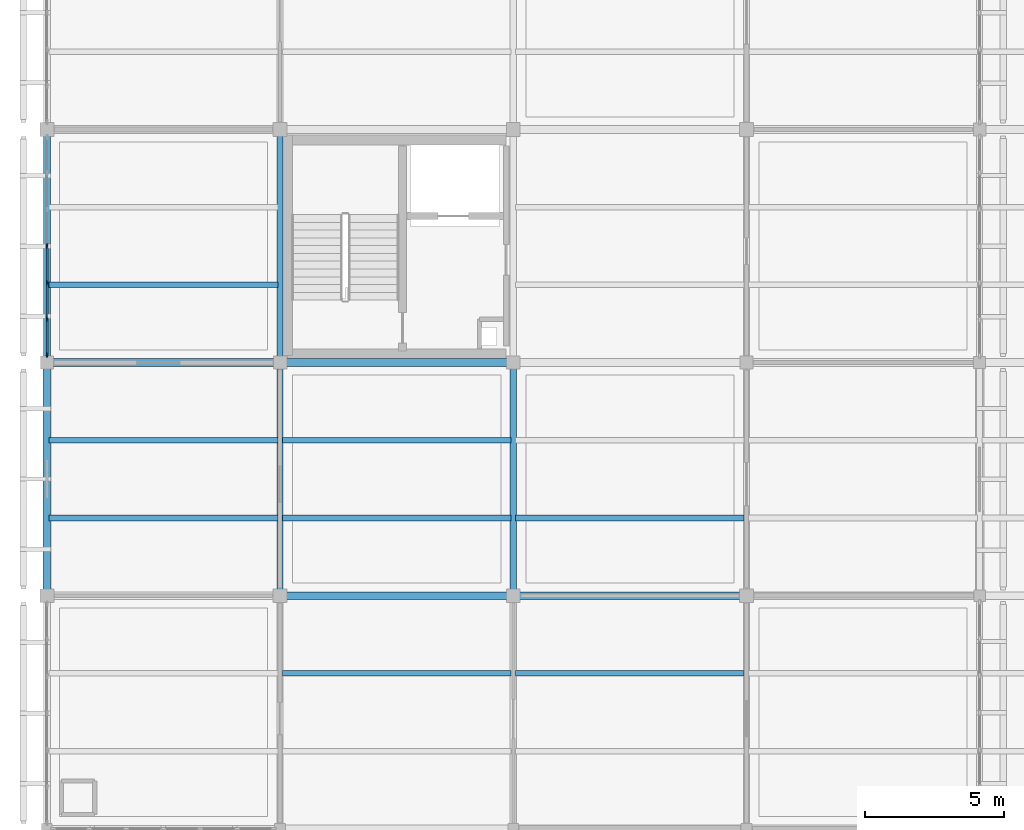
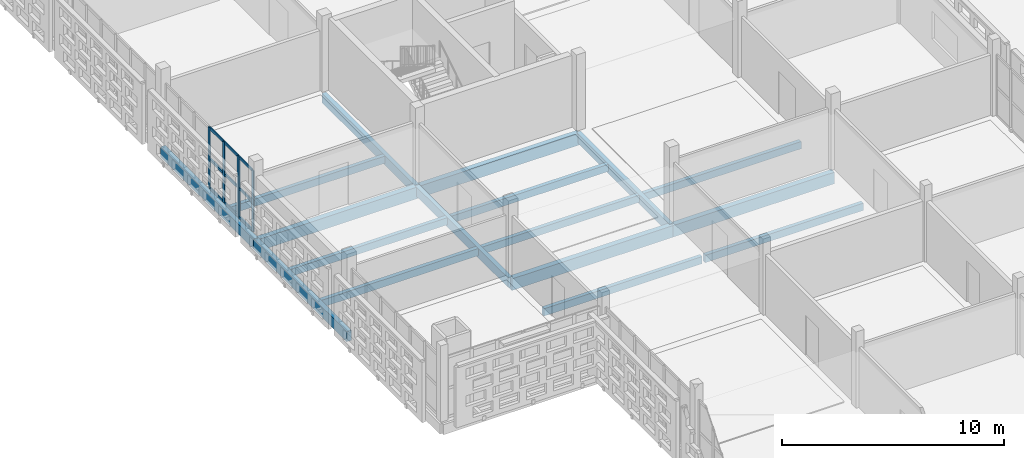
# One storey, part 25 of 166: 17 beams, 13 members, 1 element without a shape of its own.
"""IFC4 building model written with IfcOpenShell, lengths in metres."""

from ifc_helpers import new_model, si_unit, direction, frame, origin, origin_2d, place, context, subcontext, project, spatial, rectangle, extrude, material, layer, layer_set, material_profile, profile_set, type_object, element, aggregate, save


model = new_model("IFC4")

# Units and contexts
model_context = context("Model", 3, precision=1e-05, world=origin(), true_north=direction((0.0, 1.0)))
body_context = subcontext(model_context, "Body", "Model", "MODEL_VIEW")
ifc_project = project(units=[si_unit("LENGTHUNIT", "METRE"), si_unit("AREAUNIT", "SQUARE_METRE"), si_unit("VOLUMEUNIT", "CUBIC_METRE"), si_unit("PLANEANGLEUNIT", "RADIAN"), si_unit("MASSUNIT", "GRAM", prefix="KILO")], contexts=[model_context])

# Site, building, storey
site_placement = place(None, origin())
site = spatial("IfcSite", under=ifc_project, at=site_placement, CompositionType="ELEMENT")
building_placement = place(site_placement, origin())
building = spatial("IfcBuilding", under=site, at=building_placement, Name="Varnapada Polytechnic", CompositionType="ELEMENT")
storey_placement = place(building_placement, frame((0.0, 0.0, 9.60009765625)))
storey = spatial("IfcBuildingStorey", under=building, at=storey_placement, Name="L02", CompositionType="ELEMENT", Elevation=9.60009765625)

# Beams
ifc_material_1 = material(Name="Glulam GL32h", Category="wood")
ifc_material_profile_1 = material_profile(ifc_material_1, rectangle(XDim=0.280029296875, YDim=0.639892578125, at=origin_2d()), Name="GL 280x640")
ifc_profile_set_1 = profile_set([ifc_material_profile_1], Name="Glulam GL32h")
beam_type_1 = type_object("IfcBeamType", Name="Laboratory primary glulam girder GG-02 (GL 280x640)", PredefinedType="BEAM", material=ifc_profile_set_1)
beam_1_placement = place(storey_placement, frame((0.0, 58.800048828125, -0.56005859375), z_axis=(1.0, 0.0, 0.0), x_axis=(0.0, 1.0, 0.0)))
element("IfcBeam", 1, at=beam_1_placement, inside=storey, type_object=beam_type_1, Name="L02 beam X 1-2 at Y8", PredefinedType="BEAM", context=body_context, shape_type="SweptSolid", body=[
    extrude(rectangle(XDim=0.280029296875, YDim=0.639892578125, at=origin_2d()), origin(), (0.0, 0.0, 1.0), 8.39990234375),
])
for number, where, z_axis, x_axis, name in (
    (2, (8.39990234375, 50.39990234375, -0.56005859375), (1.0, 0.0, 0.0), (0.0, 1.0, 0.0), "L02 beam X 2-3 at Y7"),
    (3, (8.39990234375, 58.800048828125, -0.56005859375), (1.0, 0.0, 0.0), (0.0, 1.0, 0.0), "L02 beam X 2-3 at Y8"),
):
    element("IfcBeam", number, at=place(storey_placement, frame(where, z_axis=z_axis, x_axis=x_axis)), inside=storey, type_object=beam_type_1, Name=name, PredefinedType="BEAM", context=body_context, shape_type="SweptSolid", body=[
        extrude(rectangle(XDim=0.280029296875, YDim=0.639892578125, at=origin_2d()), origin(), (0.0, 0.0, 1.0), 8.400146484375),
    ])
beam_2_placement = place(storey_placement, frame((16.800048828125, 50.39990234375, -0.56005859375), z_axis=(1.0, 0.0, 0.0), x_axis=(0.0, 1.0, 0.0)))
element("IfcBeam", 4, at=beam_2_placement, inside=storey, type_object=beam_type_1, Name="L02 beam X 3-4 at Y7", PredefinedType="BEAM", context=body_context, shape_type="SweptSolid", body=[
    extrude(rectangle(XDim=0.280029296875, YDim=0.639892578125, at=origin_2d()), origin(), (0.0, 0.0, 1.0), 8.39990234375),
])
ifc_material_profile_2 = material_profile(ifc_material_1, rectangle(XDim=0.219970703125, YDim=0.52001953125, at=origin_2d()), Name="GL 220x520")
ifc_profile_set_2 = profile_set([ifc_material_profile_2], Name="Glulam GL32h")
beam_type_2 = type_object("IfcBeamType", Name="Laboratory transverse glulam beam GB-12 (GL 220x520)", PredefinedType="BEAM", material=ifc_profile_set_2)
beam_3_placement = place(storey_placement, frame((8.39990234375, 50.39990234375, -0.5), z_axis=(0.0, 1.0, 0.0), x_axis=(-1.0, 0.0, 0.0)))
element("IfcBeam", 5, at=beam_3_placement, inside=storey, type_object=beam_type_2, Name="L02 beam Y 7-8 at X2", PredefinedType="BEAM", context=body_context, shape_type="SweptSolid", body=[
    extrude(rectangle(XDim=0.219970703125, YDim=0.52001953125, at=origin_2d()), origin(), (0.0, 0.0, 1.0), 8.400146484375),
])
beam_4_placement = place(storey_placement, frame((8.39990234375, 58.800048828125, -0.5), z_axis=(0.0, 1.0, 0.0), x_axis=(-1.0, 0.0, 0.0)))
element("IfcBeam", 6, at=beam_4_placement, inside=storey, type_object=beam_type_2, Name="L02 beam Y 8-9 at X2", PredefinedType="BEAM", context=body_context, shape_type="SweptSolid", body=[
    extrude(rectangle(XDim=0.219970703125, YDim=0.52001953125, at=origin_2d()), origin(), (0.0, 0.0, 1.0), 8.39990234375),
])
beam_5_placement = place(storey_placement, frame((16.800048828125, 50.39990234375, -0.5), z_axis=(0.0, 1.0, 0.0), x_axis=(-1.0, 0.0, 0.0)))
element("IfcBeam", 7, at=beam_5_placement, inside=storey, type_object=beam_type_2, Name="L02 beam Y 7-8 at X3", PredefinedType="BEAM", context=body_context, shape_type="SweptSolid", body=[
    extrude(rectangle(XDim=0.219970703125, YDim=0.52001953125, at=origin_2d()), origin(), (0.0, 0.0, 1.0), 8.400146484375),
])
ifc_material_profile_3 = material_profile(ifc_material_1, rectangle(XDim=0.199951171875, YDim=0.39990234375, at=origin_2d()), Name="GL 200x400")
ifc_profile_set_3 = profile_set([ifc_material_profile_3], Name="Glulam GL32h")
beam_type_3 = type_object("IfcBeamType", Name="Library/laboratory glulam floor joist GJ-01 (GL 200x400)", PredefinedType="JOIST", material=ifc_profile_set_3)
for number, where, z_axis, x_axis, name in (
    (8, (0.080078125, 53.199951171875, -0.440185546875), (1.0, 0.0, 0.0), (0.0, 1.0, 0.0), "L02 floor joist 1/7.1"),
    (9, (0.080078125, 56.0, -0.440185546875), (1.0, 0.0, 0.0), (0.0, 1.0, 0.0), "L02 floor joist 1/7.2"),
    (10, (0.080078125, 61.60009765625, -0.440185546875), (1.0, 0.0, 0.0), (0.0, 1.0, 0.0), "L02 floor joist 1/8.1"),
    (11, (8.47998046875, 47.60009765625, -0.440185546875), (1.0, 0.0, 0.0), (0.0, 1.0, 0.0), "L02 floor joist 2/6.2"),
    (12, (8.47998046875, 53.199951171875, -0.440185546875), (1.0, 0.0, 0.0), (0.0, 1.0, 0.0), "L02 floor joist 2/7.1"),
    (13, (8.47998046875, 56.0, -0.440185546875), (1.0, 0.0, 0.0), (0.0, 1.0, 0.0), "L02 floor joist 2/7.2"),
):
    element("IfcBeam", number, at=place(storey_placement, frame(where, z_axis=z_axis, x_axis=x_axis)), inside=storey, type_object=beam_type_3, Name=name, PredefinedType="JOIST", context=body_context, shape_type="SweptSolid", body=[
        extrude(rectangle(XDim=0.199951171875, YDim=0.39990234375, at=origin_2d()), origin(), (0.0, 0.0, 1.0), 8.239990234375),
    ])
for number, where, z_axis, x_axis, name in (
    (14, (16.8798828125, 47.60009765625, -0.440185546875), (1.0, 0.0, 0.0), (0.0, 1.0, 0.0), "L02 floor joist 3/6.2"),
    (15, (16.8798828125, 53.199951171875, -0.440185546875), (1.0, 0.0, 0.0), (0.0, 1.0, 0.0), "L02 floor joist 3/7.1"),
):
    element("IfcBeam", number, at=place(storey_placement, frame(where, z_axis=z_axis, x_axis=x_axis)), inside=storey, type_object=beam_type_3, Name=name, PredefinedType="JOIST", context=body_context, shape_type="SweptSolid", body=[
        extrude(rectangle(XDim=0.199951171875, YDim=0.39990234375, at=origin_2d()), origin(), (0.0, 0.0, 1.0), 8.240234375),
    ])

# Curtain wall, members
ifc_material_2 = material(Name="Double low-E laminated glass", Category="glass")
ifc_layer = layer(ifc_material_2, 0.179931640625)
ifc_layer_set = layer_set([ifc_layer], Name="Double low-E laminated glass")
curtain_wall_type = type_object("IfcCurtainWallType", Name="Curtain Wall CW-03", PredefinedType="NOTDEFINED", material=ifc_layer_set)
curtain_wall_placement = place(storey_placement, origin())
curtain_wall = element("IfcCurtainWall", 16, at=curtain_wall_placement, inside=storey, type_object=curtain_wall_type, Name="L02 unitised curtain wall CW-03 (130)", PredefinedType="NOTDEFINED")
ifc_material_3 = material(Name="Anodised aluminium", Category="aluminium")
ifc_material_profile_4 = material_profile(ifc_material_3, rectangle(XDim=0.06494140625, YDim=0.179931640625, at=origin_2d()), Name="ALU M65x180")
ifc_profile_set_4 = profile_set([ifc_material_profile_4], Name="Anodised aluminium")
member_type_1 = type_object("IfcMemberType", Name="Mullion M-02", PredefinedType="MULLION", material=ifc_profile_set_4)
member_1_placement = place(storey_placement, frame((0.0, 59.072509765625, 0.0), z_axis=(0.0, 0.0, 1.0), x_axis=(-1.0, 0.0, 0.0)))
member_1 = element("IfcMember", 17, at=member_1_placement, type_object=member_type_1, Name="CW-03 mullion 1", PredefinedType="MULLION", context=body_context, shape_type="SweptSolid", body=[
    extrude(rectangle(XDim=0.06494140625, YDim=0.179931640625, at=origin_2d()), origin(), (0.0, 0.0, 1.0), 3.35986328125),
])
member_2_placement = place(storey_placement, frame((0.0, 60.3583984375, 0.0), z_axis=(0.0, 0.0, 1.0), x_axis=(-1.0, 0.0, 0.0)))
member_2 = element("IfcMember", 18, at=member_2_placement, type_object=member_type_1, Name="CW-03 mullion 2", PredefinedType="MULLION", context=body_context, shape_type="SweptSolid", body=[
    extrude(rectangle(XDim=0.06494140625, YDim=0.179931640625, at=origin_2d()), origin(), (0.0, 0.0, 1.0), 3.35986328125),
])
member_3_placement = place(storey_placement, frame((0.0, 61.6767578125, 0.0), z_axis=(0.0, 0.0, 1.0), x_axis=(-1.0, 0.0, 0.0)))
member_3 = element("IfcMember", 19, at=member_3_placement, type_object=member_type_1, Name="CW-03 mullion 3", PredefinedType="MULLION", context=body_context, shape_type="SweptSolid", body=[
    extrude(rectangle(XDim=0.06494140625, YDim=0.179931640625, at=origin_2d()), origin(), (0.0, 0.0, 1.0), 3.35986328125),
])
member_4_placement = place(storey_placement, frame((0.0, 62.9951171875, 0.0), z_axis=(0.0, 0.0, 1.0), x_axis=(-1.0, 0.0, 0.0)))
member_4 = element("IfcMember", 20, at=member_4_placement, type_object=member_type_1, Name="CW-03 mullion 4", PredefinedType="MULLION", context=body_context, shape_type="SweptSolid", body=[
    extrude(rectangle(XDim=0.06494140625, YDim=0.179931640625, at=origin_2d()), origin(), (0.0, 0.0, 1.0), 3.35986328125),
])

# Beams
ifc_material_profile_5 = material_profile(ifc_material_1, rectangle(XDim=0.239990234375, YDim=0.56005859375, at=origin_2d()), Name="GL 240x560")
ifc_profile_set_5 = profile_set([ifc_material_profile_5], Name="Glulam GL32h")
beam_type_4 = type_object("IfcBeamType", Name="Perimeter glulam spandrel beam SP-02 (GL 240x560)", PredefinedType="SPANDREL", material=ifc_profile_set_5)
beam_6_placement = place(storey_placement, frame((0.0, 50.39990234375, -0.52001953125), z_axis=(0.0, 1.0, 0.0), x_axis=(-1.0, 0.0, 0.0)))
element("IfcBeam", 21, at=beam_6_placement, inside=storey, type_object=beam_type_4, Name="L02 beam Y 7-8 at X1", PredefinedType="SPANDREL", context=body_context, shape_type="SweptSolid", body=[
    extrude(rectangle(XDim=0.239990234375, YDim=0.56005859375, at=origin_2d()), origin(), (0.0, 0.0, 1.0), 8.400146484375),
])
beam_7_placement = place(storey_placement, frame((0.0, 58.800048828125, -0.52001953125), z_axis=(0.0, 1.0, 0.0), x_axis=(-1.0, 0.0, 0.0)))
element("IfcBeam", 22, at=beam_7_placement, inside=storey, type_object=beam_type_4, Name="L02 beam Y 8-9 at X1", PredefinedType="SPANDREL", context=body_context, shape_type="SweptSolid", body=[
    extrude(rectangle(XDim=0.239990234375, YDim=0.56005859375, at=origin_2d()), origin(), (0.0, 0.0, 1.0), 8.39990234375),
])

# Member
ifc_material_profile_6 = material_profile(ifc_material_3, rectangle(XDim=0.06494140625, YDim=0.139892578125, at=origin_2d()), Name="ALU T65x140")
ifc_profile_set_6 = profile_set([ifc_material_profile_6], Name="Anodised aluminium")
member_type_2 = type_object("IfcMemberType", Name="Transom T-02", PredefinedType="USERDEFINED", material=ifc_profile_set_6)
member_5_placement = place(storey_placement, frame((0.0, 59.10498046875, 0.032470703125), z_axis=(0.0, 1.0, 0.0), x_axis=(-1.0, 0.0, 0.0)))
member_5 = element("IfcMember", 23, at=member_5_placement, type_object=member_type_2, Name="CW-03 transom 1.1", ObjectType="TRANSOM", PredefinedType="USERDEFINED", context=body_context, shape_type="SweptSolid", body=[
    extrude(rectangle(XDim=0.06494140625, YDim=0.139892578125, at=origin_2d()), origin(), (0.0, 0.0, 1.0), 1.220947265625),
])

member_6_placement = place(storey_placement, frame((0.0, 59.10498046875, 1.61279296875), z_axis=(0.0, 1.0, 0.0), x_axis=(-1.0, 0.0, 0.0)))
member_6 = element("IfcMember", 24, at=member_6_placement, type_object=member_type_2, Name="CW-03 transom 1.2", ObjectType="TRANSOM", PredefinedType="USERDEFINED", context=body_context, shape_type="SweptSolid", body=[
    extrude(rectangle(XDim=0.06494140625, YDim=0.139892578125, at=origin_2d()), origin(), (0.0, 0.0, 1.0), 1.220947265625),
])

member_7_placement = place(storey_placement, frame((0.0, 59.10498046875, 3.327392578125), z_axis=(0.0, 1.0, 0.0), x_axis=(-1.0, 0.0, 0.0)))
member_7 = element("IfcMember", 25, at=member_7_placement, type_object=member_type_2, Name="CW-03 transom 1.3", ObjectType="TRANSOM", PredefinedType="USERDEFINED", context=body_context, shape_type="SweptSolid", body=[
    extrude(rectangle(XDim=0.06494140625, YDim=0.139892578125, at=origin_2d()), origin(), (0.0, 0.0, 1.0), 1.220947265625),
])

member_8_placement = place(storey_placement, frame((0.0, 60.390869140625, 0.032470703125), z_axis=(0.0, 1.0, 0.0), x_axis=(-1.0, 0.0, 0.0)))
member_8 = element("IfcMember", 26, at=member_8_placement, type_object=member_type_2, Name="CW-03 transom 2.1", ObjectType="TRANSOM", PredefinedType="USERDEFINED", context=body_context, shape_type="SweptSolid", body=[
    extrude(rectangle(XDim=0.06494140625, YDim=0.139892578125, at=origin_2d()), origin(), (0.0, 0.0, 1.0), 1.25341796875),
])

member_9_placement = place(storey_placement, frame((0.0, 60.390869140625, 1.61279296875), z_axis=(0.0, 1.0, 0.0), x_axis=(-1.0, 0.0, 0.0)))
member_9 = element("IfcMember", 27, at=member_9_placement, type_object=member_type_2, Name="CW-03 transom 2.2", ObjectType="TRANSOM", PredefinedType="USERDEFINED", context=body_context, shape_type="SweptSolid", body=[
    extrude(rectangle(XDim=0.06494140625, YDim=0.139892578125, at=origin_2d()), origin(), (0.0, 0.0, 1.0), 1.25341796875),
])

member_10_placement = place(storey_placement, frame((0.0, 60.390869140625, 3.327392578125), z_axis=(0.0, 1.0, 0.0), x_axis=(-1.0, 0.0, 0.0)))
member_10 = element("IfcMember", 28, at=member_10_placement, type_object=member_type_2, Name="CW-03 transom 2.3", ObjectType="TRANSOM", PredefinedType="USERDEFINED", context=body_context, shape_type="SweptSolid", body=[
    extrude(rectangle(XDim=0.06494140625, YDim=0.139892578125, at=origin_2d()), origin(), (0.0, 0.0, 1.0), 1.25341796875),
])

member_11_placement = place(storey_placement, frame((0.0, 61.709228515625, 0.032470703125), z_axis=(0.0, 1.0, 0.0), x_axis=(-1.0, 0.0, 0.0)))
member_11 = element("IfcMember", 29, at=member_11_placement, type_object=member_type_2, Name="CW-03 transom 3.1", ObjectType="TRANSOM", PredefinedType="USERDEFINED", context=body_context, shape_type="SweptSolid", body=[
    extrude(rectangle(XDim=0.06494140625, YDim=0.139892578125, at=origin_2d()), origin(), (0.0, 0.0, 1.0), 1.253173828125),
])

member_12_placement = place(storey_placement, frame((0.0, 61.709228515625, 1.61279296875), z_axis=(0.0, 1.0, 0.0), x_axis=(-1.0, 0.0, 0.0)))
member_12 = element("IfcMember", 30, at=member_12_placement, type_object=member_type_2, Name="CW-03 transom 3.2", ObjectType="TRANSOM", PredefinedType="USERDEFINED", context=body_context, shape_type="SweptSolid", body=[
    extrude(rectangle(XDim=0.06494140625, YDim=0.139892578125, at=origin_2d()), origin(), (0.0, 0.0, 1.0), 1.253173828125),
])

member_13_placement = place(storey_placement, frame((0.0, 61.709228515625, 3.327392578125), z_axis=(0.0, 1.0, 0.0), x_axis=(-1.0, 0.0, 0.0)))
member_13 = element("IfcMember", 31, at=member_13_placement, type_object=member_type_2, Name="CW-03 transom 3.3", ObjectType="TRANSOM", PredefinedType="USERDEFINED", context=body_context, shape_type="SweptSolid", body=[
    extrude(rectangle(XDim=0.06494140625, YDim=0.139892578125, at=origin_2d()), origin(), (0.0, 0.0, 1.0), 1.253173828125),
])

aggregate(curtain_wall, [member_1, member_2, member_3, member_4, member_5, member_6, member_7, member_8, member_9, member_10, member_11, member_12, member_13])

save(model, "model.ifc")
